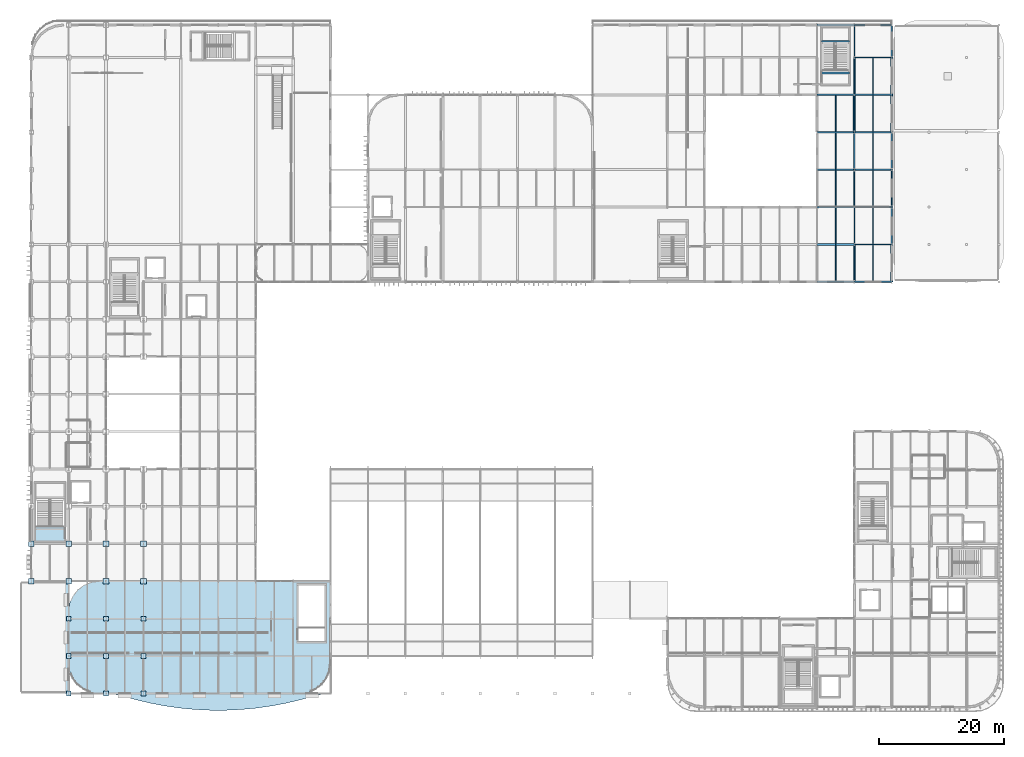
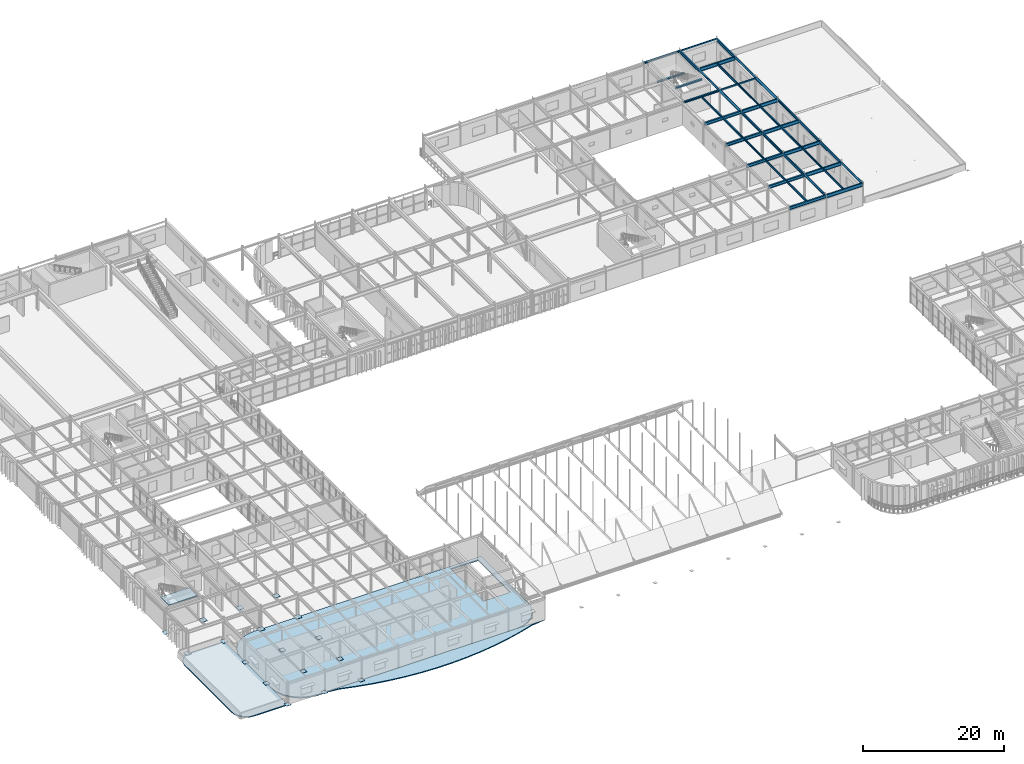
# One storey, part 75 of 116: 42 beams, 17 plates, 4 slabs, 1 element without a shape of its own.
"""IFC4 building model written with IfcOpenShell, lengths in metres."""

from ifc_helpers import new_model, si_unit, direction, frame, origin, origin_2d, place, context, subcontext, project, spatial, polyline, rectangle, hollow_rectangle, hollow_circle, i_section, outline, extrude, material, layer, layer_set, material_profile, profile_set, type_object, element, aggregate, save


model = new_model("IFC4")

# Units and contexts
model_context = context("Model", 3, precision=1e-05, world=origin(), true_north=direction((0.0, 1.0)))
body_context = subcontext(model_context, "Body", "Model", "MODEL_VIEW")
ifc_project = project(units=[si_unit("LENGTHUNIT", "METRE"), si_unit("AREAUNIT", "SQUARE_METRE"), si_unit("VOLUMEUNIT", "CUBIC_METRE"), si_unit("PLANEANGLEUNIT", "RADIAN"), si_unit("MASSUNIT", "GRAM", prefix="KILO")], contexts=[model_context])

# Site, building, storey
site_placement = place(None, origin())
site = spatial("IfcSite", under=ifc_project, at=site_placement, CompositionType="ELEMENT")
building_placement = place(site_placement, origin())
building = spatial("IfcBuilding", under=site, at=building_placement, Name="Varnakota Square Police Headquarters", CompositionType="ELEMENT")
storey_placement = place(building_placement, frame((0.0, 0.0, 9.300048828125)))
storey = spatial("IfcBuildingStorey", under=building, at=storey_placement, Name="L02", CompositionType="ELEMENT", Elevation=9.300048828125)

# Beams
ifc_material_1 = material(Name="Steel IS 2062 Grade 350", Category="steel")
ifc_material_profile_1 = material_profile(ifc_material_1, hollow_circle(Radius=0.161865234375, WallThickness=0.0126953125, at=origin_2d()), Name="CHS 323.9x12.7")
ifc_profile_set_1 = profile_set([ifc_material_profile_1], Name="Steel IS 2062 Grade 350")
beam_type_1 = type_object("IfcBeamType", Name="BM-ARC-CHS324", PredefinedType="BEAM", material=ifc_profile_set_1)
for number, where, z_axis, x_axis, name in (
    (1, (138.0, 69.0, 3.738037109375), (0.0, 1.0, 0.0), (-1.0, 0.0, 0.0), "BMG-L02-2274"),
    (2, (138.0, 99.0, 3.738037109375), (0.0, 1.0, 0.0), (-1.0, 0.0, 0.0), "BMG-L02-2279"),
    (3, (144.0, 69.0, 3.738037109375), (0.0, 1.0, 0.0), (-1.0, 0.0, 0.0), "BMG-L02-2288"),
    (4, (144.0, 99.0, 3.738037109375), (0.0, 1.0, 0.0), (-1.0, 0.0, 0.0), "BMG-L02-2293"),
):
    element("IfcBeam", number, at=place(storey_placement, frame(where, z_axis=z_axis, x_axis=x_axis)), inside=storey, type_object=beam_type_1, Name=name, PredefinedType="BEAM", context=body_context, shape_type="SweptSolid", body=[
        extrude(hollow_circle(Radius=0.161865234375, WallThickness=0.0126953125, at=origin_2d()), origin(), (0.0, 0.0, 1.0), 6.0),
    ])
ifc_material_profile_2 = material_profile(ifc_material_1, hollow_circle(Radius=0.203125, WallThickness=0.01611328125, at=origin_2d()), Name="CHS 406.4x16.0")
ifc_profile_set_2 = profile_set([ifc_material_profile_2], Name="Steel IS 2062 Grade 350")
beam_type_2 = type_object("IfcBeamType", Name="BM-ARC-CHS406", PredefinedType="BEAM", material=ifc_profile_set_2)
for number, where, z_axis, x_axis, name in (
    (5, (138.0, 93.0, 3.69677734375), (0.0, 1.0, 0.0), (-1.0, 0.0, 0.0), "BMG-L02-2278"),
    (6, (144.0, 93.0, 3.69677734375), (0.0, 1.0, 0.0), (-1.0, 0.0, 0.0), "BMG-L02-2292"),
):
    element("IfcBeam", number, at=place(storey_placement, frame(where, z_axis=z_axis, x_axis=x_axis)), inside=storey, type_object=beam_type_2, Name=name, PredefinedType="BEAM", context=body_context, shape_type="SweptSolid", body=[
        extrude(hollow_circle(Radius=0.203125, WallThickness=0.01611328125, at=origin_2d()), origin(), (0.0, 0.0, 1.0), 6.0),
    ])
ifc_material_profile_3 = material_profile(ifc_material_1, hollow_rectangle(XDim=0.14990234375, YDim=0.25, WallThickness=0.010009765625, InnerFilletRadius=0.010009765625, OuterFilletRadius=0.02001953125, at=origin_2d()), Name="RHS 250x150x10")
ifc_profile_set_3 = profile_set([ifc_material_profile_3], Name="Steel IS 2062 Grade 350")
beam_type_3 = type_object("IfcBeamType", Name="BM-CBEAM-RHS250", PredefinedType="BEAM", material=ifc_profile_set_3)
for number, where, z_axis, x_axis, name in (
    (7, (138.0, 99.0, 3.77490234375), (1.0, 0.0, 0.0), (0.0, 1.0, 0.0), "BMG-L02-2080"),
    (8, (138.0, 110.199951171875, 3.77490234375), (1.0, 0.0, 0.0), (0.0, 1.0, 0.0), "BMG-L02-2103"),
):
    element("IfcBeam", number, at=place(storey_placement, frame(where, z_axis=z_axis, x_axis=x_axis)), inside=storey, type_object=beam_type_3, Name=name, PredefinedType="BEAM", context=body_context, shape_type="SweptSolid", body=[
        extrude(hollow_rectangle(XDim=0.14990234375, YDim=0.25, WallThickness=0.010009765625, InnerFilletRadius=0.010009765625, OuterFilletRadius=0.02001953125, at=origin_2d()), origin(), (0.0, 0.0, 1.0), 6.0),
    ])
ifc_material_profile_4 = material_profile(ifc_material_1, i_section(OverallWidth=0.25, OverallDepth=0.300048828125, WebThickness=0.009521484375, FlangeThickness=0.010498046875, FilletRadius=0.011962890625, at=origin_2d()), Name="ISHB 300")
ifc_profile_set_4 = profile_set([ifc_material_profile_4], Name="Steel IS 2062 Grade 350")
beam_type_4 = type_object("IfcBeamType", Name="BM-ISHB300", PredefinedType="BEAM", material=ifc_profile_set_4)
for number, where, z_axis, x_axis, name in (
    (9, (132.0, 99.0, 3.75), (1.0, 0.0, 0.0), (0.0, 1.0, 0.0), "BMG-L02-2079"),
    (10, (132.0, 110.199951171875, 3.75), (1.0, 0.0, 0.0), (0.0, 1.0, 0.0), "BMG-L02-2102"),
):
    element("IfcBeam", number, at=place(storey_placement, frame(where, z_axis=z_axis, x_axis=x_axis)), inside=storey, type_object=beam_type_4, Name=name, PredefinedType="BEAM", context=body_context, shape_type="SweptSolid", body=[
        extrude(i_section(OverallWidth=0.25, OverallDepth=0.300048828125, WebThickness=0.009521484375, FlangeThickness=0.010498046875, FilletRadius=0.011962890625, at=origin_2d()), origin(), (0.0, 0.0, 1.0), 6.0),
    ])
for number, where, z_axis, x_axis, name in (
    (11, (132.699951171875, 107.6005859375, 1.7919921875), (1.0, 0.0, 0.0), (0.0, 1.0, 0.0), "Stair landing support beam BM-LND-0093"),
    (12, (132.699951171875, 102.5, 3.849853515625), (1.0, 0.0, 0.0), (0.0, 1.0, 0.0), "Stair landing support beam BM-LND-0094"),
):
    element("IfcBeam", number, at=place(storey_placement, frame(where, z_axis=z_axis, x_axis=x_axis)), inside=storey, type_object=beam_type_4, Name=name, PredefinedType="BEAM", context=body_context, shape_type="SweptSolid", body=[
        extrude(i_section(OverallWidth=0.25, OverallDepth=0.300048828125, WebThickness=0.009521484375, FlangeThickness=0.010498046875, FilletRadius=0.011962890625, at=origin_2d()), origin(), (0.0, 0.0, 1.0), 4.5),
    ])
ifc_material_profile_5 = material_profile(ifc_material_1, i_section(OverallWidth=0.139892578125, OverallDepth=0.300048828125, WebThickness=0.0078125, FlangeThickness=0.01318359375, FilletRadius=0.013916015625, at=origin_2d()), Name="ISMB 300")
ifc_profile_set_5 = profile_set([ifc_material_profile_5], Name="Steel IS 2062 Grade 350")
beam_type_5 = type_object("IfcBeamType", Name="BM-ISMB300", PredefinedType="JOIST", material=ifc_profile_set_5)
beam_1_placement = place(storey_placement, frame((135.0, 81.123046875, 3.75), z_axis=(0.0, 1.0, 0.0), x_axis=(-1.0, 0.0, 0.0)))
element("IfcBeam", 13, at=beam_1_placement, inside=storey, type_object=beam_type_5, Name="BMG-L02-2398", PredefinedType="JOIST", context=body_context, shape_type="SweptSolid", body=[
    extrude(i_section(OverallWidth=0.139892578125, OverallDepth=0.300048828125, WebThickness=0.0078125, FlangeThickness=0.01318359375, FilletRadius=0.013916015625, at=origin_2d()), origin(), (0.0, 0.0, 1.0), 5.75390625),
])
beam_2_placement = place(storey_placement, frame((141.0, 75.10302734375, 3.75), z_axis=(0.0, 1.0, 0.0), x_axis=(-1.0, 0.0, 0.0)))
element("IfcBeam", 14, at=beam_2_placement, inside=storey, type_object=beam_type_5, Name="BMG-L02-2405", PredefinedType="JOIST", context=body_context, shape_type="SweptSolid", body=[
    extrude(i_section(OverallWidth=0.139892578125, OverallDepth=0.300048828125, WebThickness=0.0078125, FlangeThickness=0.01318359375, FilletRadius=0.013916015625, at=origin_2d()), origin(), (0.0, 0.0, 1.0), 5.7939453125),
])
beam_3_placement = place(storey_placement, frame((141.0, 93.10302734375, 3.75), z_axis=(0.0, 1.0, 0.0), x_axis=(-1.0, 0.0, 0.0)))
element("IfcBeam", 15, at=beam_3_placement, inside=storey, type_object=beam_type_5, Name="BMG-L02-2408", PredefinedType="JOIST", context=body_context, shape_type="SweptSolid", body=[
    extrude(i_section(OverallWidth=0.139892578125, OverallDepth=0.300048828125, WebThickness=0.0078125, FlangeThickness=0.01318359375, FilletRadius=0.013916015625, at=origin_2d()), origin(), (0.0, 0.0, 1.0), 5.823974609375),
])
ifc_material_profile_6 = material_profile(ifc_material_1, i_section(OverallWidth=0.139892578125, OverallDepth=0.35009765625, WebThickness=0.008056640625, FlangeThickness=0.01416015625, FilletRadius=0.013916015625, at=origin_2d()), Name="ISMB 350")
ifc_profile_set_6 = profile_set([ifc_material_profile_6], Name="Steel IS 2062 Grade 350")
beam_type_6 = type_object("IfcBeamType", Name="BM-ISMB350", PredefinedType="JOIST", material=ifc_profile_set_6)
for number, where, z_axis, x_axis, name in (
    (16, (135.0, 75.123046875, 3.724853515625), (0.0, 1.0, 0.0), (-1.0, 0.0, 0.0), "BMG-L02-2397"),
    (17, (135.0, 93.123046875, 3.724853515625), (0.0, 1.0, 0.0), (-1.0, 0.0, 0.0), "BMG-L02-2400"),
):
    element("IfcBeam", number, at=place(storey_placement, frame(where, z_axis=z_axis, x_axis=x_axis)), inside=storey, type_object=beam_type_6, Name=name, PredefinedType="JOIST", context=body_context, shape_type="SweptSolid", body=[
        extrude(i_section(OverallWidth=0.139892578125, OverallDepth=0.35009765625, WebThickness=0.008056640625, FlangeThickness=0.01416015625, FilletRadius=0.013916015625, at=origin_2d()), origin(), (0.0, 0.0, 1.0), 5.75390625),
    ])
for number, where, z_axis, x_axis, name in (
    (18, (141.0, 69.10302734375, 3.724853515625), (0.0, 1.0, 0.0), (-1.0, 0.0, 0.0), "BMG-L02-2404"),
    (19, (141.0, 87.10302734375, 3.724853515625), (0.0, 1.0, 0.0), (-1.0, 0.0, 0.0), "BMG-L02-2407"),
):
    element("IfcBeam", number, at=place(storey_placement, frame(where, z_axis=z_axis, x_axis=x_axis)), inside=storey, type_object=beam_type_6, Name=name, PredefinedType="JOIST", context=body_context, shape_type="SweptSolid", body=[
        extrude(i_section(OverallWidth=0.139892578125, OverallDepth=0.35009765625, WebThickness=0.008056640625, FlangeThickness=0.01416015625, FilletRadius=0.013916015625, at=origin_2d()), origin(), (0.0, 0.0, 1.0), 5.7939453125),
    ])
ifc_material_profile_7 = material_profile(ifc_material_1, i_section(OverallWidth=0.139892578125, OverallDepth=0.39990234375, WebThickness=0.0087890625, FlangeThickness=0.01611328125, FilletRadius=0.013916015625, at=origin_2d()), Name="ISMB 400")
ifc_profile_set_7 = profile_set([ifc_material_profile_7], Name="Steel IS 2062 Grade 350")
beam_type_7 = type_object("IfcBeamType", Name="BM-ISMB400", PredefinedType="JOIST", material=ifc_profile_set_7)
for number, where, z_axis, x_axis, name in (
    (20, (135.0, 69.123046875, 3.699951171875), (0.0, 1.0, 0.0), (-1.0, 0.0, 0.0), "BMG-L02-2396"),
    (21, (135.0, 87.123046875, 3.699951171875), (0.0, 1.0, 0.0), (-1.0, 0.0, 0.0), "BMG-L02-2399"),
):
    element("IfcBeam", number, at=place(storey_placement, frame(where, z_axis=z_axis, x_axis=x_axis)), inside=storey, type_object=beam_type_7, Name=name, PredefinedType="JOIST", context=body_context, shape_type="SweptSolid", body=[
        extrude(i_section(OverallWidth=0.139892578125, OverallDepth=0.39990234375, WebThickness=0.0087890625, FlangeThickness=0.01611328125, FilletRadius=0.013916015625, at=origin_2d()), origin(), (0.0, 0.0, 1.0), 5.75390625),
    ])
beam_4_placement = place(storey_placement, frame((141.0, 81.10302734375, 3.699951171875), z_axis=(0.0, 1.0, 0.0), x_axis=(-1.0, 0.0, 0.0)))
element("IfcBeam", 22, at=beam_4_placement, inside=storey, type_object=beam_type_7, Name="BMG-L02-2406", PredefinedType="JOIST", context=body_context, shape_type="SweptSolid", body=[
    extrude(i_section(OverallWidth=0.139892578125, OverallDepth=0.39990234375, WebThickness=0.0087890625, FlangeThickness=0.01611328125, FilletRadius=0.013916015625, at=origin_2d()), origin(), (0.0, 0.0, 1.0), 5.7939453125),
])
beam_5_placement = place(storey_placement, frame((141.0, 99.072998046875, 3.699951171875), z_axis=(0.0, 1.0, 0.0), x_axis=(-1.0, 0.0, 0.0)))
element("IfcBeam", 23, at=beam_5_placement, inside=storey, type_object=beam_type_7, Name="BMG-L02-2409", PredefinedType="JOIST", context=body_context, shape_type="SweptSolid", body=[
    extrude(i_section(OverallWidth=0.139892578125, OverallDepth=0.39990234375, WebThickness=0.0087890625, FlangeThickness=0.01611328125, FilletRadius=0.013916015625, at=origin_2d()), origin(), (0.0, 0.0, 1.0), 5.823974609375),
])
ifc_material_profile_8 = material_profile(ifc_material_1, i_section(OverallWidth=0.14990234375, OverallDepth=0.449951171875, WebThickness=0.009521484375, FlangeThickness=0.017333984375, FilletRadius=0.014892578125, at=origin_2d()), Name="ISMB 450")
ifc_profile_set_8 = profile_set([ifc_material_profile_8], Name="Steel IS 2062 Grade 350")
beam_type_8 = type_object("IfcBeamType", Name="BM-ISMB450", PredefinedType="BEAM", material=ifc_profile_set_8)
for number, where, z_axis, x_axis, name in (
    (24, (138.0, 81.0, 3.675048828125), (0.0, 1.0, 0.0), (-1.0, 0.0, 0.0), "BMG-L02-2276"),
    (25, (144.0, 81.0, 3.675048828125), (0.0, 1.0, 0.0), (-1.0, 0.0, 0.0), "BMG-L02-2290"),
):
    element("IfcBeam", number, at=place(storey_placement, frame(where, z_axis=z_axis, x_axis=x_axis)), inside=storey, type_object=beam_type_8, Name=name, PredefinedType="BEAM", context=body_context, shape_type="SweptSolid", body=[
        extrude(i_section(OverallWidth=0.14990234375, OverallDepth=0.449951171875, WebThickness=0.009521484375, FlangeThickness=0.017333984375, FilletRadius=0.014892578125, at=origin_2d()), origin(), (0.0, 0.0, 1.0), 6.0),
    ])
ifc_material_profile_9 = material_profile(ifc_material_1, i_section(OverallWidth=0.179931640625, OverallDepth=0.5, WebThickness=0.01025390625, FlangeThickness=0.01708984375, FilletRadius=0.01708984375, at=origin_2d()), Name="ISMB 500")
ifc_profile_set_9 = profile_set([ifc_material_profile_9], Name="Steel IS 2062 Grade 350")
beam_type_9 = type_object("IfcBeamType", Name="BM-ISMB500", PredefinedType="BEAM", material=ifc_profile_set_9)
beam_6_placement = place(storey_placement, frame((138.0, 75.0, 3.64990234375), z_axis=(0.0, 1.0, 0.0), x_axis=(-1.0, 0.0, 0.0)))
element("IfcBeam", 26, at=beam_6_placement, inside=storey, type_object=beam_type_9, Name="BMG-L02-2275", PredefinedType="BEAM", context=body_context, shape_type="SweptSolid", body=[
    extrude(i_section(OverallWidth=0.179931640625, OverallDepth=0.5, WebThickness=0.01025390625, FlangeThickness=0.01708984375, FilletRadius=0.01708984375, at=origin_2d()), origin(), (0.0, 0.0, 1.0), 6.0),
])
beam_7_placement = place(storey_placement, frame((138.0, 105.0, 3.64990234375), z_axis=(0.0, 1.0, 0.0), x_axis=(-1.0, 0.0, 0.0)))
element("IfcBeam", 27, at=beam_7_placement, inside=storey, type_object=beam_type_9, Name="BMG-L02-2280", PredefinedType="BEAM", context=body_context, shape_type="SweptSolid", body=[
    extrude(i_section(OverallWidth=0.179931640625, OverallDepth=0.5, WebThickness=0.01025390625, FlangeThickness=0.01708984375, FilletRadius=0.01708984375, at=origin_2d()), origin(), (0.0, 0.0, 1.0), 5.199951171875),
])
beam_8_placement = place(storey_placement, frame((144.0, 75.0, 3.64990234375), z_axis=(0.0, 1.0, 0.0), x_axis=(-1.0, 0.0, 0.0)))
element("IfcBeam", 28, at=beam_8_placement, inside=storey, type_object=beam_type_9, Name="BMG-L02-2289", PredefinedType="BEAM", context=body_context, shape_type="SweptSolid", body=[
    extrude(i_section(OverallWidth=0.179931640625, OverallDepth=0.5, WebThickness=0.01025390625, FlangeThickness=0.01708984375, FilletRadius=0.01708984375, at=origin_2d()), origin(), (0.0, 0.0, 1.0), 6.0),
])
beam_9_placement = place(storey_placement, frame((144.0, 105.0, 3.64990234375), z_axis=(0.0, 1.0, 0.0), x_axis=(-1.0, 0.0, 0.0)))
element("IfcBeam", 29, at=beam_9_placement, inside=storey, type_object=beam_type_9, Name="BMG-L02-2294", PredefinedType="BEAM", context=body_context, shape_type="SweptSolid", body=[
    extrude(i_section(OverallWidth=0.179931640625, OverallDepth=0.5, WebThickness=0.01025390625, FlangeThickness=0.01708984375, FilletRadius=0.01708984375, at=origin_2d()), origin(), (0.0, 0.0, 1.0), 5.199951171875),
])
ifc_material_profile_10 = material_profile(ifc_material_1, i_section(OverallWidth=0.2099609375, OverallDepth=0.60009765625, WebThickness=0.011962890625, FlangeThickness=0.020751953125, FilletRadius=0.02001953125, at=origin_2d()), Name="ISMB 600")
ifc_profile_set_10 = profile_set([ifc_material_profile_10], Name="Steel IS 2062 Grade 350")
beam_type_10 = type_object("IfcBeamType", Name="BM-ISMB600", PredefinedType="BEAM", material=ifc_profile_set_10)
for number, where, z_axis, x_axis, name in (
    (30, (138.0, 69.0, 3.599853515625), (1.0, 0.0, 0.0), (0.0, 1.0, 0.0), "BMG-L02-2027"),
    (31, (138.0, 75.0, 3.599853515625), (1.0, 0.0, 0.0), (0.0, 1.0, 0.0), "BMG-L02-2039"),
    (32, (138.0, 81.0, 3.599853515625), (1.0, 0.0, 0.0), (0.0, 1.0, 0.0), "BMG-L02-2052"),
    (33, (138.0, 87.0, 3.599853515625), (1.0, 0.0, 0.0), (0.0, 1.0, 0.0), "BMG-L02-2063"),
    (34, (138.0, 93.0, 3.599853515625), (1.0, 0.0, 0.0), (0.0, 1.0, 0.0), "BMG-L02-2066"),
    (35, (138.0, 105.0, 3.599853515625), (1.0, 0.0, 0.0), (0.0, 1.0, 0.0), "BMG-L02-2089"),
):
    element("IfcBeam", number, at=place(storey_placement, frame(where, z_axis=z_axis, x_axis=x_axis)), inside=storey, type_object=beam_type_10, Name=name, PredefinedType="BEAM", context=body_context, shape_type="SweptSolid", body=[
        extrude(i_section(OverallWidth=0.2099609375, OverallDepth=0.60009765625, WebThickness=0.011962890625, FlangeThickness=0.020751953125, FilletRadius=0.02001953125, at=origin_2d()), origin(), (0.0, 0.0, 1.0), 6.0),
    ])
ifc_material_profile_11 = material_profile(ifc_material_1, i_section(OverallWidth=0.199951171875, OverallDepth=0.39990234375, WebThickness=0.008544921875, FlangeThickness=0.012939453125, FilletRadius=0.012939453125, at=origin_2d()), Name="ISWB 400")
ifc_profile_set_11 = profile_set([ifc_material_profile_11], Name="Steel IS 2062 Grade 350")
beam_type_11 = type_object("IfcBeamType", Name="BM-ISWB400", PredefinedType="BEAM", material=ifc_profile_set_11)
for number, where, z_axis, x_axis, name in (
    (36, (138.0, 87.0, 3.699951171875), (0.0, 1.0, 0.0), (-1.0, 0.0, 0.0), "BMG-L02-2277"),
    (37, (144.0, 87.0, 3.699951171875), (0.0, 1.0, 0.0), (-1.0, 0.0, 0.0), "BMG-L02-2291"),
):
    element("IfcBeam", number, at=place(storey_placement, frame(where, z_axis=z_axis, x_axis=x_axis)), inside=storey, type_object=beam_type_11, Name=name, PredefinedType="BEAM", context=body_context, shape_type="SweptSolid", body=[
        extrude(i_section(OverallWidth=0.199951171875, OverallDepth=0.39990234375, WebThickness=0.008544921875, FlangeThickness=0.012939453125, FilletRadius=0.012939453125, at=origin_2d()), origin(), (0.0, 0.0, 1.0), 6.0),
    ])
ifc_material_profile_12 = material_profile(ifc_material_1, i_section(OverallWidth=0.25, OverallDepth=0.5, WebThickness=0.010009765625, FlangeThickness=0.0146484375, FilletRadius=0.014892578125, at=origin_2d()), Name="ISWB 500")
ifc_profile_set_12 = profile_set([ifc_material_profile_12], Name="Steel IS 2062 Grade 350")
beam_type_12 = type_object("IfcBeamType", Name="BM-ISWB500", PredefinedType="BEAM", material=ifc_profile_set_12)
for number, where, z_axis, x_axis, name in (
    (38, (132.0, 69.0, 3.64990234375), (1.0, 0.0, 0.0), (0.0, 1.0, 0.0), "BMG-L02-2026"),
    (39, (132.0, 75.0, 3.64990234375), (1.0, 0.0, 0.0), (0.0, 1.0, 0.0), "BMG-L02-2038"),
    (40, (132.0, 81.0, 3.64990234375), (1.0, 0.0, 0.0), (0.0, 1.0, 0.0), "BMG-L02-2051"),
    (41, (132.0, 87.0, 3.64990234375), (1.0, 0.0, 0.0), (0.0, 1.0, 0.0), "BMG-L02-2062"),
    (42, (132.0, 93.0, 3.64990234375), (1.0, 0.0, 0.0), (0.0, 1.0, 0.0), "BMG-L02-2065"),
):
    element("IfcBeam", number, at=place(storey_placement, frame(where, z_axis=z_axis, x_axis=x_axis)), inside=storey, type_object=beam_type_12, Name=name, PredefinedType="BEAM", context=body_context, shape_type="SweptSolid", body=[
        extrude(i_section(OverallWidth=0.25, OverallDepth=0.5, WebThickness=0.010009765625, FlangeThickness=0.0146484375, FilletRadius=0.014892578125, at=origin_2d()), origin(), (0.0, 0.0, 1.0), 6.0),
    ])

# Plates
ifc_layer_1 = layer(ifc_material_1, 0.02490234375, Name="Steel IS 2062 Grade 350")
ifc_layer_set_1 = layer_set([ifc_layer_1], Name="Steel IS 2062 Grade 350")
plate_type_1 = type_object("IfcPlateType", Name="PL-BASE-25", PredefinedType="SHEET", material=ifc_layer_set_1)
for number, where, z_axis, x_axis, name in (
    (43, (12.0, 3.0, 0.0), (0.0, 0.0, 1.0), (1.0, 0.0, 0.0), "Column base plate BP-016"),
    (44, (12.0, 9.0, 0.0), (0.0, 0.0, 1.0), (1.0, 0.0, 0.0), "Column base plate BP-017"),
    (45, (12.0, 15.0, 0.0), (0.0, 0.0, 1.0), (1.0, 0.0, 0.0), "Column base plate BP-018"),
    (46, (18.0, 3.0, 0.0), (0.0, 0.0, 1.0), (1.0, 0.0, 0.0), "Column base plate BP-031"),
    (47, (18.0, 9.0, 0.0), (0.0, 0.0, 1.0), (1.0, 0.0, 0.0), "Column base plate BP-032"),
    (48, (18.0, 15.0, 0.0), (0.0, 0.0, 1.0), (1.0, 0.0, 0.0), "Column base plate BP-033"),
    (49, (24.0, 3.0, 0.0), (0.0, 0.0, 1.0), (1.0, 0.0, 0.0), "Column base plate BP-046"),
    (50, (24.0, 9.0, 0.0), (0.0, 0.0, 1.0), (1.0, 0.0, 0.0), "Column base plate BP-047"),
    (51, (24.0, 15.0, 0.0), (0.0, 0.0, 1.0), (1.0, 0.0, 0.0), "Column base plate BP-048"),
):
    element("IfcPlate", number, at=place(storey_placement, frame(where, z_axis=z_axis, x_axis=x_axis)), inside=storey, type_object=plate_type_1, Name=name, PredefinedType="SHEET", context=body_context, shape_type="SweptSolid", body=[
        extrude(rectangle(XDim=0.75, YDim=0.75, at=origin_2d()), origin(), (0.0, 0.0, 1.0), 0.02490234375),
    ])
ifc_layer_2 = layer(ifc_material_1, 0.031982421875, Name="Steel IS 2062 Grade 350")
ifc_layer_set_2 = layer_set([ifc_layer_2], Name="Steel IS 2062 Grade 350")
plate_type_2 = type_object("IfcPlateType", Name="PL-BASE-32", PredefinedType="SHEET", material=ifc_layer_set_2)
for number, where, z_axis, x_axis, name in (
    (52, (6.0, 21.0, 0.0), (0.0, 0.0, 1.0), (1.0, 0.0, 0.0), "Column base plate BP-001"),
    (53, (6.0, 27.0, 0.0), (0.0, 0.0, 1.0), (1.0, 0.0, 0.0), "Column base plate BP-002"),
    (54, (12.0, 21.0, 0.0), (0.0, 0.0, 1.0), (1.0, 0.0, 0.0), "Column base plate BP-019"),
    (55, (12.0, 27.0, 0.0), (0.0, 0.0, 1.0), (1.0, 0.0, 0.0), "Column base plate BP-020"),
    (56, (18.0, 21.0, 0.0), (0.0, 0.0, 1.0), (1.0, 0.0, 0.0), "Column base plate BP-034"),
    (57, (18.0, 27.0, 0.0), (0.0, 0.0, 1.0), (1.0, 0.0, 0.0), "Column base plate BP-035"),
    (58, (24.0, 21.0, 0.0), (0.0, 0.0, 1.0), (1.0, 0.0, 0.0), "Column base plate BP-049"),
    (59, (24.0, 27.0, 0.0), (0.0, 0.0, 1.0), (1.0, 0.0, 0.0), "Column base plate BP-050"),
):
    element("IfcPlate", number, at=place(storey_placement, frame(where, z_axis=z_axis, x_axis=x_axis)), inside=storey, type_object=plate_type_2, Name=name, PredefinedType="SHEET", context=body_context, shape_type="SweptSolid", body=[
        extrude(rectangle(XDim=0.89990234375, YDim=0.89990234375, at=origin_2d()), origin(), (0.0, 0.0, 1.0), 0.031982421875),
    ])

# Slabs
ifc_material_2 = material(Name="Concrete M40", Category="concrete")
ifc_layer_3 = layer(ifc_material_2, 0.199951171875, Name="Concrete M40")
ifc_layer_set_3 = layer_set([ifc_layer_3], Name="Concrete M40")
slab_type_1 = type_object("IfcSlabType", Name="SL-COMP-200", PredefinedType="FLOOR", material=ifc_layer_set_3)
slab_1_placement = place(storey_placement, frame((0.0, 0.0, -0.199951171875)))
element("IfcSlab", 60, at=slab_1_placement, inside=storey, type_object=slab_type_1, Name="L02 Public Records Wing Slab", PredefinedType="FLOOR", context=body_context, shape_type="SweptSolid", body=[
    extrude(outline(polyline([(12.0, 7.800048828125), (12.16357421875, 6.5576171875), (12.64306640625, 5.39990234375), (13.406005859375, 4.406005859375), (14.39990234375, 3.64306640625), (15.5576171875, 3.16357421875), (16.800048828125, 3.0), (49.199951171875, 3.0), (50.4423828125, 3.16357421875), (51.60009765625, 3.64306640625), (52.593994140625, 4.406005859375), (53.35693359375, 5.39990234375), (53.83642578125, 6.5576171875), (54.0, 7.800048828125), (54.0, 21.0), (16.800048828125, 21.0), (15.5576171875, 20.83642578125), (14.39990234375, 20.35693359375), (13.406005859375, 19.593994140625), (12.64306640625, 18.60009765625), (12.16357421875, 17.4423828125), (12.0, 16.199951171875), (12.0, 7.800048828125)]), holes=[polyline([(48.7548828125, 11.2548828125), (53.14501953125, 11.2548828125), (53.14501953125, 20.445068359375), (48.7548828125, 20.445068359375), (48.7548828125, 11.2548828125)])]), origin(), (0.0, 0.0, 1.0), 0.199951171875),
])
ifc_layer_4 = layer(ifc_material_2, 0.159912109375, Name="Concrete M40")
ifc_layer_set_4 = layer_set([ifc_layer_4], Name="Concrete M40")
slab_type_2 = type_object("IfcSlabType", Name="SL-RF-160", PredefinedType="ROOF", material=ifc_layer_set_4)
slab_2_placement = place(storey_placement, frame((0.0, 0.0, -0.16015625)))
element("IfcSlab", 61, at=slab_2_placement, inside=storey, type_object=slab_type_2, Name="L02 Plaza Cantilever Roof Slab", PredefinedType="ROOF", context=body_context, shape_type="SweptSolid", body=[
    extrude(outline(polyline([(4.199951171875, 5.39990234375), (4.28173828125, 4.77880859375), (4.521484375, 4.199951171875), (4.90283203125, 3.702880859375), (5.39990234375, 3.321533203125), (5.978759765625, 3.081787109375), (6.60009765625, 3.0), (12.0, 3.0), (12.0, 21.0), (6.60009765625, 21.0), (5.978759765625, 20.918212890625), (5.39990234375, 20.678466796875), (4.90283203125, 20.297119140625), (4.521484375, 19.800048828125), (4.28173828125, 19.22119140625), (4.199951171875, 18.60009765625), (4.199951171875, 5.39990234375)])), origin(), (0.0, 0.0, 1.0), 0.16015625),
])
slab_3_placement = place(storey_placement, frame((0.0, 0.0, -0.16015625)))
element("IfcSlab", 62, at=slab_3_placement, inside=storey, type_object=slab_type_2, Name="L02 Curved Colonnade Band Roof", PredefinedType="ROOF", context=body_context, shape_type="SweptSolid", body=[
    extrude(outline(polyline([(18.0, 3.0), (20.318359375, 2.706298828125), (22.67138671875, 2.0224609375), (25.05419921875, 1.4501953125), (27.461181640625, 0.9912109375), (29.887451171875, 0.645751953125), (32.326904296875, 0.4150390625), (34.77490234375, 0.2998046875), (37.22509765625, 0.2998046875), (39.673095703125, 0.4150390625), (42.112548828125, 0.645751953125), (44.538818359375, 0.9912109375), (46.94580078125, 1.4501953125), (49.32861328125, 2.0224609375), (51.681640625, 2.706298828125), (54.0, 3.0), (18.0, 3.0)])), origin(), (0.0, 0.0, 1.0), 0.16015625),
])

# Stair, slab
stair_type = type_object("IfcStairType", Name="STR-DOG-2000", PredefinedType="USERDEFINED", material=ifc_material_2)
stair_placement = place(storey_placement, origin())
stair = element("IfcStair", 63, at=stair_placement, inside=storey, type_object=stair_type, Name="Protected exit stair ST4 (L02)", ObjectType="TWO_RETURN_STAIR", PredefinedType="USERDEFINED")
ifc_layer_5 = layer(ifc_material_2, 0.166015625, Name="Concrete M40")
ifc_layer_set_5 = layer_set([ifc_layer_5], Name="Concrete M40")
slab_type_3 = type_object("IfcSlabType", Name="SLB-LND-2000", PredefinedType="LANDING", material=ifc_layer_set_5)
slab_4_placement = place(storey_placement, frame((0.0, 0.0, 4.033935546875)))
slab_4 = element("IfcSlab", 64, at=slab_4_placement, type_object=slab_type_3, Name="ST4-L02 landing 2", PredefinedType="LANDING", context=body_context, shape_type="SweptSolid", body=[
    extrude(outline(polyline([(6.659912109375, 27.4599609375), (11.340087890625, 27.4599609375), (11.340087890625, 29.75), (6.659912109375, 29.75), (6.659912109375, 27.4599609375)])), origin(), (0.0, 0.0, 1.0), 0.166015625),
])
aggregate(stair, [slab_4])

save(model, "model.ifc")
